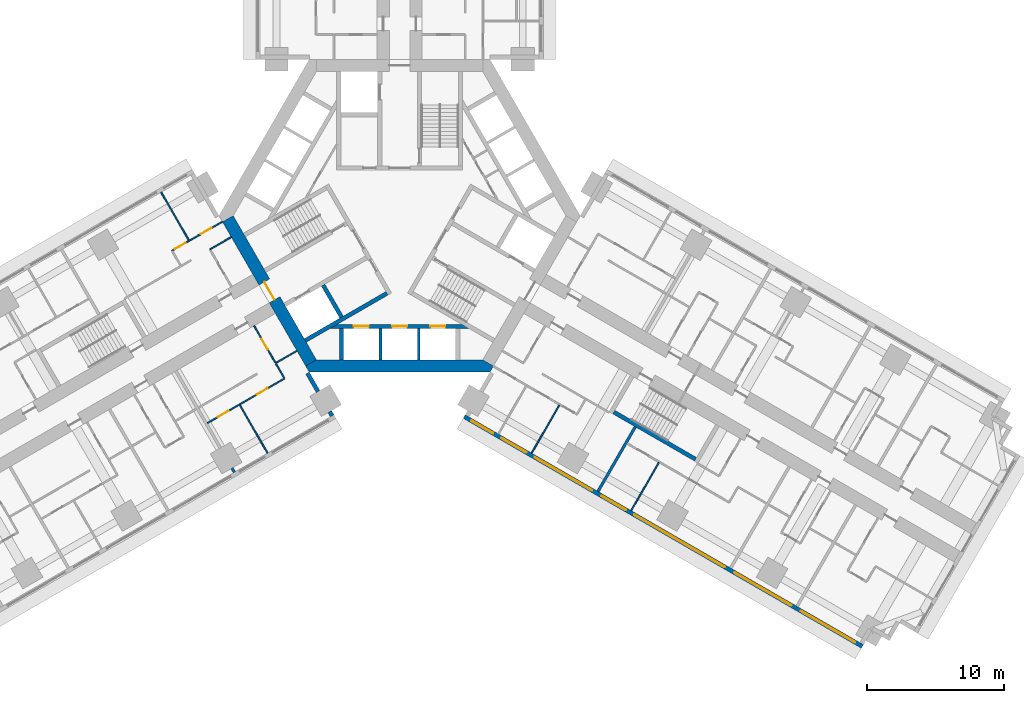
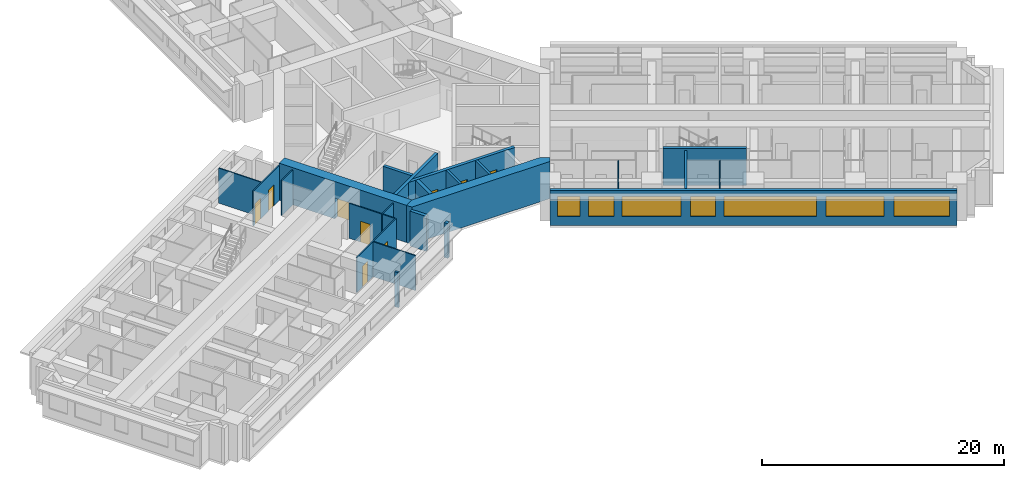
# One storey, part 6 of 16: 24 walls, 9 doors, 7 windows, 16 openings.
"""IFC4 building model written with IfcOpenShell, lengths in metres."""

from ifc_helpers import new_model, si_unit, direction, frame, frame_2d, origin, place, context, subcontext, project, spatial, polyline, rectangle, outline, extrude, material, layer, layer_set, type_object, element, fill, save


model = new_model("IFC4")

# Units and contexts
model_context = context("Model", 3, precision=1e-05, world=origin(), true_north=direction((0.0, 1.0)))
body_context = subcontext(model_context, "Body", "Model", "MODEL_VIEW")
ifc_project = project(units=[si_unit("LENGTHUNIT", "METRE"), si_unit("AREAUNIT", "SQUARE_METRE"), si_unit("VOLUMEUNIT", "CUBIC_METRE"), si_unit("PLANEANGLEUNIT", "RADIAN"), si_unit("MASSUNIT", "GRAM", prefix="KILO")], contexts=[model_context])

# Site, building, storey
site_placement = place(None, origin())
site = spatial("IfcSite", under=ifc_project, at=site_placement, CompositionType="ELEMENT")
building_placement = place(site_placement, origin())
building = spatial("IfcBuilding", under=site, at=building_placement, Name="Impinga Residences", CompositionType="ELEMENT")
storey_placement = place(building_placement, frame((0.0, 0.0, 48.5)))
storey = spatial("IfcBuildingStorey", under=building, at=storey_placement, Name="L11", CompositionType="ELEMENT", Elevation=48.5)

# Wall, openings, windows
ifc_material_1 = material(Name="Terracotta rainscreen on blockwork", Category="masonry")
ifc_layer_1 = layer(ifc_material_1, 0.300048828125)
ifc_layer_set_1 = layer_set([ifc_layer_1], Name="EW1 external wall, terracotta rainscreen on blockwork 300")
wall_type_1 = type_object("IfcWallType", Name="EW1 external wall, terracotta rainscreen on blockwork 300", PredefinedType="SOLIDWALL", material=ifc_layer_set_1)
wall_1_placement = place(storey_placement, frame((33.823486328125, -31.479248046875, 0.0), z_axis=(0.0, 0.0, 1.0), x_axis=(-0.866024291668, 0.500001926238, 0.0)))
wall_1 = element("IfcWall", 1, at=wall_1_placement, inside=storey, type_object=wall_type_1, Name="External wall EW1 L11", PredefinedType="SOLIDWALL", context=body_context, shape_type="SweptSolid", body=[
    extrude(rectangle(XDim=33.599853515625, YDim=0.300048828125, at=frame_2d((16.7998046875, 0.0))), origin(), (0.0, 0.0, 1.0), 3.530029296875),
])
opening_1_placement = place(wall_1_placement, frame((0.60009765625, 0.0, 0.89990234375)))
opening_1 = element("IfcOpeningElement", 2, at=opening_1_placement, cuts=wall_1, Name="Opening W3", PredefinedType="OPENING", context=body_context, shape_type="SweptSolid", body=[
    extrude(rectangle(XDim=4.60009765625, YDim=2.050048828125, at=frame_2d((2.300048828125, 1.02490234375))), frame((0.0, 0.159912109375, 0.0), z_axis=(0.0, -1.0, 0.0), x_axis=(1.0, 0.0, 0.0)), (0.0, 0.0, 1.0), 0.320068359375),
])
opening_2_placement = place(wall_1_placement, frame((6.0, 0.0, 0.89990234375)))
opening_2 = element("IfcOpeningElement", 3, at=opening_2_placement, cuts=wall_1, Name="Opening W8", PredefinedType="OPENING", context=body_context, shape_type="SweptSolid", body=[
    extrude(rectangle(XDim=4.800048828125, YDim=2.050048828125, at=frame_2d((2.39990234375, 1.02490234375))), frame((0.0, 0.159912109375, 0.0), z_axis=(0.0, -1.0, 0.0), x_axis=(1.0, 0.0, 0.0)), (0.0, 0.0, 1.0), 0.320068359375),
])
opening_3_placement = place(wall_1_placement, frame((11.60009765625, 0.0, 0.89990234375)))
opening_3 = element("IfcOpeningElement", 4, at=opening_3_placement, cuts=wall_1, Name="Opening W13", PredefinedType="OPENING", context=body_context, shape_type="SweptSolid", body=[
    extrude(rectangle(XDim=7.64990234375, YDim=2.050048828125, at=frame_2d((3.824951171875, 1.02490234375))), frame((0.0, 0.159912109375, 0.0), z_axis=(0.0, -1.0, 0.0), x_axis=(1.0, 0.0, 0.0)), (0.0, 0.0, 1.0), 0.320068359375),
])
opening_4_placement = place(wall_1_placement, frame((19.949951171875, 0.0, 0.89990234375)))
opening_4 = element("IfcOpeningElement", 5, at=opening_4_placement, cuts=wall_1, Name="Opening W14", PredefinedType="OPENING", context=body_context, shape_type="SweptSolid", body=[
    extrude(rectangle(XDim=2.050048828125, YDim=2.050048828125, at=frame_2d((1.02490234375, 1.02490234375))), frame((0.0, 0.159912109375, 0.0), z_axis=(0.0, -1.0, 0.0), x_axis=(1.0, 0.0, 0.0)), (0.0, 0.0, 1.0), 0.320068359375),
])
opening_5_placement = place(wall_1_placement, frame((22.800048828125, 0.0, 0.89990234375)))
opening_5 = element("IfcOpeningElement", 6, at=opening_5_placement, cuts=wall_1, Name="Opening W6", PredefinedType="OPENING", context=body_context, shape_type="SweptSolid", body=[
    extrude(rectangle(XDim=4.85009765625, YDim=2.050048828125, at=frame_2d((2.425048828125, 1.02490234375))), frame((0.0, 0.159912109375, 0.0), z_axis=(0.0, -1.0, 0.0), x_axis=(1.0, 0.0, 0.0)), (0.0, 0.0, 1.0), 0.320068359375),
])
opening_6_placement = place(wall_1_placement, frame((28.35009765625, 0.0, 0.89990234375)))
opening_6 = element("IfcOpeningElement", 7, at=opening_6_placement, cuts=wall_1, Name="Opening W9", PredefinedType="OPENING", context=body_context, shape_type="SweptSolid", body=[
    extrude(rectangle(XDim=2.10009765625, YDim=2.050048828125, at=frame_2d((1.050048828125, 1.02490234375))), frame((0.0, 0.159912109375, 0.0), z_axis=(0.0, -1.0, 0.0), x_axis=(1.0, 0.0, 0.0)), (0.0, 0.0, 1.0), 0.320068359375),
])
opening_7_placement = place(wall_1_placement, frame((31.14990234375, 0.0, 0.89990234375)))
opening_7 = element("IfcOpeningElement", 8, at=opening_7_placement, cuts=wall_1, Name="Opening W15", PredefinedType="OPENING", context=body_context, shape_type="SweptSolid", body=[
    extrude(rectangle(XDim=1.85009765625, YDim=2.050048828125, at=frame_2d((0.925048828125, 1.02490234375))), frame((0.0, 0.159912109375, 0.0), z_axis=(0.0, -1.0, 0.0), x_axis=(1.0, 0.0, 0.0)), (0.0, 0.0, 1.0), 0.320068359375),
])
ifc_material_2 = material(Name="Aluminium window, clear double glazing", Category="aluminium")
window_type_1 = type_object("IfcWindowType", Name="W13 ribbon window 7650x2050", PartitioningType="SINGLE_PANEL", PredefinedType="WINDOW", material=ifc_material_2)
window_1_placement = place(opening_3_placement, origin())
window_1 = element("IfcWindow", 9, at=window_1_placement, inside=storey, type_object=window_type_1, Name="Window L11", OverallHeight=2.050048828125, OverallWidth=7.64990234375, PartitioningType="SINGLE_PANEL", PredefinedType="WINDOW", context=body_context, shape_type="SweptSolid", body=[
    extrude(rectangle(XDim=7.64990234375, YDim=2.050048828125, at=frame_2d((3.824951171875, 1.02490234375))), frame((0.0, 0.030029296875, 0.0), z_axis=(0.0, -1.0, 0.0), x_axis=(1.0, 0.0, 0.0)), (0.0, 0.0, 1.0), 0.06005859375),
])
fill(opening_3, window_1)
window_type_2 = type_object("IfcWindowType", Name="W14 ribbon window 2050x2050", PartitioningType="SINGLE_PANEL", PredefinedType="WINDOW", material=ifc_material_2)
window_2_placement = place(opening_4_placement, origin())
window_2 = element("IfcWindow", 10, at=window_2_placement, inside=storey, type_object=window_type_2, Name="Window L11", OverallHeight=2.050048828125, OverallWidth=2.050048828125, PartitioningType="SINGLE_PANEL", PredefinedType="WINDOW", context=body_context, shape_type="SweptSolid", body=[
    extrude(rectangle(XDim=2.050048828125, YDim=2.050048828125, at=frame_2d((1.02490234375, 1.02490234375))), frame((0.0, 0.030029296875, 0.0), z_axis=(0.0, -1.0, 0.0), x_axis=(1.0, 0.0, 0.0)), (0.0, 0.0, 1.0), 0.06005859375),
])
fill(opening_4, window_2)
window_type_3 = type_object("IfcWindowType", Name="W15 ribbon window 1850x2050", PartitioningType="SINGLE_PANEL", PredefinedType="WINDOW", material=ifc_material_2)
window_3_placement = place(opening_7_placement, origin())
window_3 = element("IfcWindow", 11, at=window_3_placement, inside=storey, type_object=window_type_3, Name="Window L11", OverallHeight=2.050048828125, OverallWidth=1.85009765625, PartitioningType="SINGLE_PANEL", PredefinedType="WINDOW", context=body_context, shape_type="SweptSolid", body=[
    extrude(rectangle(XDim=1.85009765625, YDim=2.050048828125, at=frame_2d((0.925048828125, 1.02490234375))), frame((0.0, 0.030029296875, 0.0), z_axis=(0.0, -1.0, 0.0), x_axis=(1.0, 0.0, 0.0)), (0.0, 0.0, 1.0), 0.06005859375),
])
fill(opening_7, window_3)
window_type_4 = type_object("IfcWindowType", Name="W3 ribbon window 4600x2050", PartitioningType="SINGLE_PANEL", PredefinedType="WINDOW", material=ifc_material_2)
window_4_placement = place(opening_1_placement, origin())
window_4 = element("IfcWindow", 12, at=window_4_placement, inside=storey, type_object=window_type_4, Name="Window L11", OverallHeight=2.050048828125, OverallWidth=4.60009765625, PartitioningType="SINGLE_PANEL", PredefinedType="WINDOW", context=body_context, shape_type="SweptSolid", body=[
    extrude(rectangle(XDim=4.60009765625, YDim=2.050048828125, at=frame_2d((2.300048828125, 1.02490234375))), frame((0.0, 0.030029296875, 0.0), z_axis=(0.0, -1.0, 0.0), x_axis=(1.0, 0.0, 0.0)), (0.0, 0.0, 1.0), 0.06005859375),
])
fill(opening_1, window_4)
window_type_5 = type_object("IfcWindowType", Name="W6 ribbon window 4850x2050", PartitioningType="SINGLE_PANEL", PredefinedType="WINDOW", material=ifc_material_2)
window_5_placement = place(opening_5_placement, origin())
window_5 = element("IfcWindow", 13, at=window_5_placement, inside=storey, type_object=window_type_5, Name="Window L11", OverallHeight=2.050048828125, OverallWidth=4.85009765625, PartitioningType="SINGLE_PANEL", PredefinedType="WINDOW", context=body_context, shape_type="SweptSolid", body=[
    extrude(rectangle(XDim=4.85009765625, YDim=2.050048828125, at=frame_2d((2.425048828125, 1.02490234375))), frame((0.0, 0.030029296875, 0.0), z_axis=(0.0, -1.0, 0.0), x_axis=(1.0, 0.0, 0.0)), (0.0, 0.0, 1.0), 0.06005859375),
])
fill(opening_5, window_5)
window_type_6 = type_object("IfcWindowType", Name="W8 ribbon window 4800x2050", PartitioningType="SINGLE_PANEL", PredefinedType="WINDOW", material=ifc_material_2)
window_6_placement = place(opening_2_placement, origin())
window_6 = element("IfcWindow", 14, at=window_6_placement, inside=storey, type_object=window_type_6, Name="Window L11", OverallHeight=2.050048828125, OverallWidth=4.800048828125, PartitioningType="SINGLE_PANEL", PredefinedType="WINDOW", context=body_context, shape_type="SweptSolid", body=[
    extrude(rectangle(XDim=4.800048828125, YDim=2.050048828125, at=frame_2d((2.39990234375, 1.02490234375))), frame((0.0, 0.030029296875, 0.0), z_axis=(0.0, -1.0, 0.0), x_axis=(1.0, 0.0, 0.0)), (0.0, 0.0, 1.0), 0.06005859375),
])
fill(opening_2, window_6)
window_type_7 = type_object("IfcWindowType", Name="W9 ribbon window 2100x2050", PartitioningType="SINGLE_PANEL", PredefinedType="WINDOW", material=ifc_material_2)
window_7_placement = place(opening_6_placement, origin())
window_7 = element("IfcWindow", 15, at=window_7_placement, inside=storey, type_object=window_type_7, Name="Window L11", OverallHeight=2.050048828125, OverallWidth=2.10009765625, PartitioningType="SINGLE_PANEL", PredefinedType="WINDOW", context=body_context, shape_type="SweptSolid", body=[
    extrude(rectangle(XDim=2.10009765625, YDim=2.050048828125, at=frame_2d((1.050048828125, 1.02490234375))), frame((0.0, 0.030029296875, 0.0), z_axis=(0.0, -1.0, 0.0), x_axis=(1.0, 0.0, 0.0)), (0.0, 0.0, 1.0), 0.06005859375),
])
fill(opening_6, window_7)

# Walls
wall_2_placement = place(storey_placement, frame((-6.72998046875, -11.506591796875, 0.0), z_axis=(0.0, 0.0, 1.0), x_axis=(0.500086022567, -0.865975732936, 0.0)))
element("IfcWall", 16, at=wall_2_placement, inside=storey, type_object=wall_type_1, Name="External wall EW1 L11", PredefinedType="SOLIDWALL", context=body_context, shape_type="SweptSolid", body=[
    extrude(rectangle(XDim=1.550048828125, YDim=0.300048828125, at=frame_2d((0.77490234375, 0.0))), origin(), (0.0, 0.0, 1.0), 3.530029296875),
])
wall_3_placement = place(storey_placement, frame((-5.10498046875, -14.321044921875, 0.0), z_axis=(0.0, 0.0, 1.0), x_axis=(0.49996389635, -0.866046247233, 0.0)))
element("IfcWall", 17, at=wall_3_placement, inside=storey, type_object=wall_type_1, Name="External wall EW1 L11", PredefinedType="SOLIDWALL", context=body_context, shape_type="SweptSolid", body=[
    extrude(rectangle(XDim=0.35009765625, YDim=0.300048828125, at=frame_2d((0.175048828125, 0.0))), origin(), (0.0, 0.0, 1.0), 3.530029296875),
])
ifc_material_3 = material(Name="Gypsum board on steel studs", Category="steel")
ifc_layer_2 = layer(ifc_material_3, 0.10009765625)
ifc_layer_set_2 = layer_set([ifc_layer_2], Name="Gypsum board on steel studs")
wall_type_2 = type_object("IfcWallType", Name="IP1 partition 100", PredefinedType="PARTITIONING", material=ifc_layer_set_2)
wall_4_placement = place(storey_placement, frame((-7.5, -9.872802734375, 0.0), z_axis=(0.0, 0.0, 1.0), x_axis=(-0.866047807691, -0.499961193289, 0.0)))
element("IfcWall", 18, at=wall_4_placement, inside=storey, type_object=wall_type_2, Name="Partition L11-WA1:DIV0", PredefinedType="PARTITIONING", context=body_context, shape_type="SweptSolid", body=[
    extrude(rectangle(XDim=1.800048828125, YDim=0.10009765625, at=frame_2d((0.89990234375, 0.0))), origin(), (0.0, 0.0, 1.0), 3.530029296875),
])

# Wall, openings, doors
wall_5_placement = place(storey_placement, frame((-8.408935546875, -11.8984375, 0.0), z_axis=(0.0, 0.0, 1.0), x_axis=(-0.866024837091, -0.50000098154, 0.0)))
wall_5 = element("IfcWall", 19, at=wall_5_placement, inside=storey, type_object=wall_type_2, Name="Partition L11-WA1:STRIP", PredefinedType="PARTITIONING", context=body_context, shape_type="SweptSolid", body=[
    extrude(rectangle(XDim=6.5, YDim=0.10009765625, at=frame_2d((3.25, 0.0))), origin(), (0.0, 0.0, 1.0), 3.530029296875),
])
opening_8_placement = place(wall_5_placement, frame((1.425048828125, 0.0, 0.0)))
opening_8 = element("IfcOpeningElement", 20, at=opening_8_placement, cuts=wall_5, Name="Opening D2", PredefinedType="OPENING", context=body_context, shape_type="SweptSolid", body=[
    extrude(rectangle(XDim=0.89990234375, YDim=2.10009765625, at=frame_2d((0.449951171875, 1.050048828125))), frame((0.0, 0.06005859375, 0.0), z_axis=(0.0, -1.0, 0.0), x_axis=(1.0, 0.0, 0.0)), (0.0, 0.0, 1.0), 0.1201171875),
])
opening_9_placement = place(wall_5_placement, frame((4.72509765625, 0.0, 0.0)))
opening_9 = element("IfcOpeningElement", 21, at=opening_9_placement, cuts=wall_5, Name="Opening D2", PredefinedType="OPENING", context=body_context, shape_type="SweptSolid", body=[
    extrude(rectangle(XDim=0.89990234375, YDim=2.10009765625, at=frame_2d((0.449951171875, 1.050048828125))), frame((0.0, 0.06005859375, 0.0), z_axis=(0.0, -1.0, 0.0), x_axis=(1.0, 0.0, 0.0)), (0.0, 0.0, 1.0), 0.1201171875),
])
ifc_material_4 = material(Name="Timber door set", Category="wood")
door_type_1 = type_object("IfcDoorType", Name="D2 internal door 900x2100", OperationType="SINGLE_SWING_LEFT", PredefinedType="DOOR", material=ifc_material_4)
door_1_placement = place(opening_8_placement, origin())
door_1 = element("IfcDoor", 22, at=door_1_placement, inside=storey, type_object=door_type_1, Name="Apartment L11-WA1 room door", OperationType="SINGLE_SWING_LEFT", OverallHeight=2.10009765625, OverallWidth=0.89990234375, PredefinedType="DOOR", context=body_context, shape_type="SweptSolid", body=[
    extrude(rectangle(XDim=0.89990234375, YDim=2.10009765625, at=frame_2d((0.449951171875, 1.050048828125))), frame((0.0, 0.02490234375, 0.0), z_axis=(0.0, -1.0, 0.0), x_axis=(1.0, 0.0, 0.0)), (0.0, 0.0, 1.0), 0.050048828125),
])
fill(opening_8, door_1)
door_2_placement = place(opening_9_placement, origin())
door_2 = element("IfcDoor", 23, at=door_2_placement, inside=storey, type_object=door_type_1, Name="Apartment L11-WA1 room door", OperationType="SINGLE_SWING_RIGHT", OverallHeight=2.10009765625, OverallWidth=0.89990234375, PredefinedType="DOOR", context=body_context, shape_type="SweptSolid", body=[
    extrude(rectangle(XDim=0.89990234375, YDim=2.10009765625, at=frame_2d((0.449951171875, 1.050048828125))), frame((0.0, 0.02490234375, 0.0), z_axis=(0.0, -1.0, 0.0), x_axis=(1.0, 0.0, 0.0)), (0.0, 0.0, 1.0), 0.050048828125),
])
fill(opening_9, door_2)

# Wall
wall_6_placement = place(storey_placement, frame((-9.033935546875, -10.81591796875, 0.0), z_axis=(0.0, 0.0, 1.0), x_axis=(0.500033551112, -0.866006032174, 0.0)))
element("IfcWall", 24, at=wall_6_placement, inside=storey, type_object=wall_type_2, Name="Partition L11-WA1:SE0", PredefinedType="PARTITIONING", context=body_context, shape_type="SweptSolid", body=[
    extrude(rectangle(XDim=1.2001953125, YDim=0.10009765625, at=frame_2d((0.60009765625, 0.0))), origin(), (0.0, 0.0, 1.0), 3.530029296875),
])

# Wall, opening, door
wall_7_placement = place(storey_placement, frame((-10.6337890625, -8.044677734375, 0.0), z_axis=(0.0, 0.0, 1.0), x_axis=(0.49999285859, -0.86602952684, 0.0)))
wall_7 = element("IfcWall", 25, at=wall_7_placement, inside=storey, type_object=wall_type_2, Name="Partition L11-WA1:IB1", PredefinedType="PARTITIONING", context=body_context, shape_type="SweptSolid", body=[
    extrude(rectangle(XDim=3.10009765625, YDim=0.10009765625, at=frame_2d((1.550048828125, 0.0))), origin(), (0.0, 0.0, 1.0), 3.530029296875),
])
opening_10_placement = place(wall_7_placement, frame((1.10009765625, 0.0, 0.0)))
opening_10 = element("IfcOpeningElement", 26, at=opening_10_placement, cuts=wall_7, Name="Opening D2", PredefinedType="OPENING", context=body_context, shape_type="SweptSolid", body=[
    extrude(rectangle(XDim=0.89990234375, YDim=2.10009765625, at=frame_2d((0.449951171875, 1.050048828125))), frame((0.0, 0.06005859375, 0.0), z_axis=(0.0, -1.0, 0.0), x_axis=(1.0, 0.0, 0.0)), (0.0, 0.0, 1.0), 0.1201171875),
])
door_3_placement = place(opening_10_placement, origin())
door_3 = element("IfcDoor", 27, at=door_3_placement, inside=storey, type_object=door_type_1, Name="Apartment L11-WA1 bathroom door", OperationType="SINGLE_SWING_LEFT", OverallHeight=2.10009765625, OverallWidth=0.89990234375, PredefinedType="DOOR", context=body_context, shape_type="SweptSolid", body=[
    extrude(rectangle(XDim=0.89990234375, YDim=2.10009765625, at=frame_2d((0.449951171875, 1.050048828125))), frame((0.0, 0.02490234375, 0.0), z_axis=(0.0, -1.0, 0.0), x_axis=(1.0, 0.0, 0.0)), (0.0, 0.0, 1.0), 0.050048828125),
])
fill(opening_10, door_3)

# Walls
wall_8_placement = place(storey_placement, frame((-11.6748046875, -13.841796875, 0.0), z_axis=(0.0, 0.0, 1.0), x_axis=(0.500035537042, -0.866004885491, 0.0)))
element("IfcWall", 28, at=wall_8_placement, inside=storey, type_object=wall_type_2, Name="Partition L11-WA1:OB1", PredefinedType="PARTITIONING", context=body_context, shape_type="SweptSolid", body=[
    extrude(rectangle(XDim=4.050048828125, YDim=0.10009765625, at=frame_2d((2.02490234375, 0.0))), origin(), (0.0, 0.0, 1.0), 3.530029296875),
])
wall_9_placement = place(storey_placement, frame((-12.300048828125, -1.558837890625, 0.0), z_axis=(0.0, 0.0, 1.0), x_axis=(-0.866047807691, -0.499961193289, 0.0)))
element("IfcWall", 29, at=wall_9_placement, inside=storey, type_object=wall_type_2, Name="Partition L11-WF1:DIV0", PredefinedType="PARTITIONING", context=body_context, shape_type="SweptSolid", body=[
    extrude(rectangle(XDim=1.800048828125, YDim=0.10009765625, at=frame_2d((0.89990234375, 0.0))), origin(), (0.0, 0.0, 1.0), 3.530029296875),
])

# Wall, openings, doors
wall_10_placement = place(storey_placement, frame((-12.949951171875, -0.43310546875, 0.0), z_axis=(0.0, 0.0, 1.0), x_axis=(-0.866028703517, -0.499994284652, 0.0)))
wall_10 = element("IfcWall", 30, at=wall_10_placement, inside=storey, type_object=wall_type_2, Name="Partition L11-WF1:STRIP", PredefinedType="PARTITIONING", context=body_context, shape_type="SweptSolid", body=[
    extrude(rectangle(XDim=4.25, YDim=0.10009765625, at=frame_2d((2.125, 0.0))), origin(), (0.0, 0.0, 1.0), 3.530029296875),
])
opening_11_placement = place(wall_10_placement, frame((0.925048828125, 0.0, 0.0)))
opening_11 = element("IfcOpeningElement", 31, at=opening_11_placement, cuts=wall_10, Name="Opening D2", PredefinedType="OPENING", context=body_context, shape_type="SweptSolid", body=[
    extrude(rectangle(XDim=0.89990234375, YDim=2.10009765625, at=frame_2d((0.449951171875, 1.050048828125))), frame((0.0, 0.06005859375, 0.0), z_axis=(0.0, -1.0, 0.0), x_axis=(1.0, 0.0, 0.0)), (0.0, 0.0, 1.0), 0.1201171875),
])
opening_12_placement = place(wall_10_placement, frame((3.10009765625, 0.0, 0.0)))
opening_12 = element("IfcOpeningElement", 32, at=opening_12_placement, cuts=wall_10, Name="Opening D2", PredefinedType="OPENING", context=body_context, shape_type="SweptSolid", body=[
    extrude(rectangle(XDim=0.89990234375, YDim=2.10009765625, at=frame_2d((0.449951171875, 1.050048828125))), frame((0.0, 0.06005859375, 0.0), z_axis=(0.0, -1.0, 0.0), x_axis=(1.0, 0.0, 0.0)), (0.0, 0.0, 1.0), 0.1201171875),
])
door_4_placement = place(opening_11_placement, origin())
door_4 = element("IfcDoor", 33, at=door_4_placement, inside=storey, type_object=door_type_1, Name="Apartment L11-WF1 room door", OperationType="SINGLE_SWING_LEFT", OverallHeight=2.10009765625, OverallWidth=0.89990234375, PredefinedType="DOOR", context=body_context, shape_type="SweptSolid", body=[
    extrude(rectangle(XDim=0.89990234375, YDim=2.10009765625, at=frame_2d((0.449951171875, 1.050048828125))), frame((0.0, 0.02490234375, 0.0), z_axis=(0.0, -1.0, 0.0), x_axis=(1.0, 0.0, 0.0)), (0.0, 0.0, 1.0), 0.050048828125),
])
fill(opening_11, door_4)
door_5_placement = place(opening_12_placement, origin())
door_5 = element("IfcDoor", 34, at=door_5_placement, inside=storey, type_object=door_type_1, Name="Apartment L11-WF1 room door", OperationType="SINGLE_SWING_RIGHT", OverallHeight=2.10009765625, OverallWidth=0.89990234375, PredefinedType="DOOR", context=body_context, shape_type="SweptSolid", body=[
    extrude(rectangle(XDim=0.89990234375, YDim=2.10009765625, at=frame_2d((0.449951171875, 1.050048828125))), frame((0.0, 0.02490234375, 0.0), z_axis=(0.0, -1.0, 0.0), x_axis=(1.0, 0.0, 0.0)), (0.0, 0.0, 1.0), 0.050048828125),
])
fill(opening_12, door_5)

# Walls
for number, where, z_axis, x_axis, name in (
    (35, (-15.39990234375, -1.789794921875, 0.0), (0.0, 0.0, 1.0), (-0.499964223975, 0.866046058097, 0.0), "Partition L11-WF1:OB1"),
    (36, (11.6748046875, -13.841796875, 0.0), (0.0, 0.0, 1.0), (-0.500035537042, -0.866004885491, 0.0), "Partition L11-EF1:OB2"),
):
    element("IfcWall", number, at=place(storey_placement, frame(where, z_axis=z_axis, x_axis=x_axis)), inside=storey, type_object=wall_type_2, Name=name, PredefinedType="PARTITIONING", context=body_context, shape_type="SweptSolid", body=[
        extrude(rectangle(XDim=4.050048828125, YDim=0.10009765625, at=frame_2d((2.02490234375, 0.0))), origin(), (0.0, 0.0, 1.0), 3.530029296875),
    ])
wall_11_placement = place(storey_placement, frame((18.949462890625, -18.041748046875, 0.0), z_axis=(0.0, 0.0, 1.0), x_axis=(-0.50000943426, -0.866019956843, 0.0)))
element("IfcWall", 37, at=wall_11_placement, inside=storey, type_object=wall_type_2, Name="Partition L11-EF2:OB1", PredefinedType="PARTITIONING", context=body_context, shape_type="SweptSolid", body=[
    extrude(rectangle(XDim=4.05029296875, YDim=0.10009765625, at=frame_2d((2.025146484375, 0.0))), origin(), (0.0, 0.0, 1.0), 3.530029296875),
])
ifc_material_5 = material(Name="Concrete blockwork", Category="masonry")
ifc_layer_3 = layer(ifc_material_5, 0.199951171875)
ifc_layer_set_3 = layer_set([ifc_layer_3], Name="PW1 party wall between apartments 200")
wall_type_3 = type_object("IfcWallType", Name="PW1 party wall between apartments 200", PredefinedType="SOLIDWALL", material=ifc_layer_set_3)
wall_12_placement = place(storey_placement, frame((-12.24951171875, -18.446044921875, 0.0), z_axis=(0.0, 0.0, 1.0), x_axis=(0.499440622861, -0.866348119543, 0.0)))
element("IfcWall", 38, at=wall_12_placement, inside=storey, type_object=wall_type_3, Name="Party wall between apartments L11-WA1:PARTYb", PredefinedType="SOLIDWALL", context=body_context, shape_type="SweptSolid", body=[
    extrude(rectangle(XDim=0.35009765625, YDim=0.199951171875, at=frame_2d((0.175048828125, 0.0))), origin(), (0.0, 0.0, 1.0), 3.530029296875),
])
wall_13_placement = place(storey_placement, frame((17.224365234375, -15.429443359375, 0.0), z_axis=(0.0, 0.0, 1.0), x_axis=(-0.499988730927, -0.866031909889, 0.0)))
element("IfcWall", 39, at=wall_13_placement, inside=storey, type_object=wall_type_3, Name="Party wall between apartments L11-EF1:PARTY", PredefinedType="SOLIDWALL", context=body_context, shape_type="SweptSolid", body=[
    extrude(rectangle(XDim=5.449951171875, YDim=0.199951171875, at=frame_2d((2.72509765625, 0.0))), origin(), (0.0, 0.0, 1.0), 3.530029296875),
])
ifc_material_6 = material(Name="Concrete C60/75", Category="concrete")
ifc_layer_4 = layer(ifc_material_6, 0.300048828125)
ifc_layer_set_4 = layer_set([ifc_layer_4], Name="Concrete C60/75")
wall_type_4 = type_object("IfcWallType", Name="SE1 wing stair enclosure wall 300", PredefinedType="SOLIDWALL", material=ifc_layer_set_4)
wall_14_placement = place(storey_placement, frame((15.654052734375, -14.349365234375, 0.0), z_axis=(0.0, 0.0, 1.0), x_axis=(0.866013532718, -0.500020560727, 0.0)))
element("IfcWall", 40, at=wall_14_placement, inside=storey, type_object=wall_type_4, Name="Stair enclosure wall SE1 E OUT L11", PredefinedType="SOLIDWALL", context=body_context, shape_type="SweptSolid", body=[
    extrude(rectangle(XDim=6.900146484375, YDim=0.300048828125, at=frame_2d((3.4501953125, 0.0))), origin(), (0.0, 0.0, 1.0), 3.75),
])

# Wall, opening, door
ifc_material_7 = material(Name="Concrete C70/85", Category="concrete")
ifc_layer_5 = layer(ifc_material_7, 0.89990234375)
ifc_layer_set_5 = layer_set([ifc_layer_5], Name="Concrete C70/85")
wall_type_5 = type_object("IfcWallType", Name="SW1 core wall 900", PredefinedType="SHEAR", material=ifc_layer_set_5)
wall_15_placement = place(storey_placement, frame((-6.47021484375, -10.756591796875, 0.0), z_axis=(0.0, 0.0, 1.0), x_axis=(-0.499997612506, 0.8660267822, 0.0)))
wall_15 = element("IfcWall", 41, at=wall_15_placement, inside=storey, type_object=wall_type_5, Name="Core wall SW1 W:FACE L11", PredefinedType="SHEAR", context=body_context, shape_type="SweptSolid", body=[
    extrude(rectangle(XDim=12.16064453125, YDim=0.89990234375, at=frame_2d((6.080322265625, 0.0))), origin(), (0.0, 0.0, 1.0), 3.75),
])
opening_13_placement = place(wall_15_placement, frame((5.330322265625, 0.0, 0.0)))
opening_13 = element("IfcOpeningElement", 42, at=opening_13_placement, cuts=wall_15, Name="Opening D4", PredefinedType="OPENING", context=body_context, shape_type="SweptSolid", body=[
    extrude(rectangle(XDim=1.5, YDim=2.10009765625, at=frame_2d((0.75, 1.050048828125))), frame((0.0, 0.4599609375, 0.0), z_axis=(0.0, -1.0, 0.0), x_axis=(1.0, 0.0, 0.0)), (0.0, 0.0, 1.0), 0.919921875),
])
door_type_2 = type_object("IfcDoorType", Name="D4 lobby door pair 1500x2100", OperationType="DOUBLE_DOOR_DOUBLE_SWING", PredefinedType="DOOR", material=ifc_material_4)
door_6_placement = place(opening_13_placement, origin())
door_6 = element("IfcDoor", 43, at=door_6_placement, inside=storey, type_object=door_type_2, Name="Lobby door W", OperationType="DOUBLE_DOOR_DOUBLE_SWING", OverallHeight=2.10009765625, OverallWidth=1.5, PredefinedType="DOOR", context=body_context, shape_type="SweptSolid", body=[
    extrude(rectangle(XDim=1.5, YDim=2.10009765625, at=frame_2d((0.75, 1.050048828125))), frame((0.0, 0.02490234375, 0.0), z_axis=(0.0, -1.0, 0.0), x_axis=(1.0, 0.0, 0.0)), (0.0, 0.0, 1.0), 0.050048828125),
])
fill(opening_13, door_6)

# Walls
wall_16_placement = place(storey_placement, origin())
element("IfcWall", 44, at=wall_16_placement, inside=storey, type_object=wall_type_5, Name="Core wall SW1 N:EXPOSED L11", PredefinedType="SHEAR", context=body_context, shape_type="SweptSolid", body=[
    extrude(outline(polyline([(-6.60009765625, -11.431640625), (6.60009765625, -11.431640625), (6.85986328125, -10.9814453125), (6.080322265625, -10.531494140625), (-6.080322265625, -10.531494140625), (-6.85986328125, -10.9814453125), (-6.60009765625, -11.431640625)])), origin(), (0.0, 0.0, 1.0), 3.75),
])
ifc_layer_6 = layer(ifc_material_7, 0.300048828125)
ifc_layer_set_6 = layer_set([ifc_layer_6], Name="Concrete C70/85")
wall_type_6 = type_object("IfcWallType", Name="SW5 core inner wall, stairs, shafts and lobbies 300", PredefinedType="SHEAR", material=ifc_layer_set_6)
wall_17_placement = place(storey_placement, frame((-0.918701171875, -5.668701171875, 0.0), z_axis=(0.0, 0.0, 1.0), x_axis=(-0.866011800373, -0.500023561059, 0.0)))
element("IfcWall", 45, at=wall_17_placement, inside=storey, type_object=wall_type_6, Name="Core wall SW5 W:FF-OUT L11", PredefinedType="SHEAR", context=body_context, shape_type="SweptSolid", body=[
    extrude(rectangle(XDim=6.901611328125, YDim=0.300048828125, at=frame_2d((3.45068359375, 0.0))), origin(), (0.0, 0.0, 1.0), 3.75),
])
wall_18_placement = place(storey_placement, frame((-4.2412109375, -7.413818359375, 0.0), z_axis=(0.0, 0.0, 1.0), x_axis=(-0.500048589285, 0.86599734893, 0.0)))
element("IfcWall", 46, at=wall_18_placement, inside=storey, type_object=wall_type_6, Name="Core wall SW5 W:FF-RS L11", PredefinedType="SHEAR", context=body_context, shape_type="SweptSolid", body=[
    extrude(rectangle(XDim=2.699951171875, YDim=0.300048828125, at=frame_2d((1.35009765625, 0.0))), origin(), (0.0, 0.0, 1.0), 3.75),
])

# Wall, openings, doors
wall_19_placement = place(storey_placement, frame((5.09765625, -8.08154296875, 0.0), z_axis=(0.0, 0.0, 1.0), x_axis=(-1.0, 0.0, 0.0)))
wall_19 = element("IfcWall", 47, at=wall_19_placement, inside=storey, type_object=wall_type_6, Name="Core wall SW5 N:BANK-FRONT L11", PredefinedType="SHEAR", context=body_context, shape_type="SweptSolid", body=[
    extrude(rectangle(XDim=10.1953125, YDim=0.300048828125, at=frame_2d((5.09765625, 0.0))), origin(), (0.0, 0.0, 1.0), 3.75),
])
opening_14_placement = place(wall_19_placement, frame((1.74755859375, 0.0, 0.0)))
opening_14 = element("IfcOpeningElement", 48, at=opening_14_placement, cuts=wall_19, Name="Opening LD1", PredefinedType="OPENING", context=body_context, shape_type="SweptSolid", body=[
    extrude(rectangle(XDim=1.10009765625, YDim=2.10009765625, at=frame_2d((0.550048828125, 1.050048828125))), frame((0.0, 0.159912109375, 0.0), z_axis=(0.0, -1.0, 0.0), x_axis=(1.0, 0.0, 0.0)), (0.0, 0.0, 1.0), 0.320068359375),
])
opening_15_placement = place(wall_19_placement, frame((4.547607421875, 0.0, 0.0)))
opening_15 = element("IfcOpeningElement", 49, at=opening_15_placement, cuts=wall_19, Name="Opening LD1", PredefinedType="OPENING", context=body_context, shape_type="SweptSolid", body=[
    extrude(rectangle(XDim=1.10009765625, YDim=2.10009765625, at=frame_2d((0.550048828125, 1.050048828125))), frame((0.0, 0.159912109375, 0.0), z_axis=(0.0, -1.0, 0.0), x_axis=(1.0, 0.0, 0.0)), (0.0, 0.0, 1.0), 0.320068359375),
])
opening_16_placement = place(wall_19_placement, frame((7.34765625, 0.0, 0.0)))
opening_16 = element("IfcOpeningElement", 50, at=opening_16_placement, cuts=wall_19, Name="Opening LD1", PredefinedType="OPENING", context=body_context, shape_type="SweptSolid", body=[
    extrude(rectangle(XDim=1.10009765625, YDim=2.10009765625, at=frame_2d((0.550048828125, 1.050048828125))), frame((0.0, 0.159912109375, 0.0), z_axis=(0.0, -1.0, 0.0), x_axis=(1.0, 0.0, 0.0)), (0.0, 0.0, 1.0), 0.320068359375),
])
ifc_material_8 = material(Name="Steel lift landing door", Category="steel")
door_type_3 = type_object("IfcDoorType", Name="LD1 passenger lift landing door 1100x2100", OperationType="DOUBLE_DOOR_SLIDING", PredefinedType="DOOR", material=ifc_material_8)
door_7_placement = place(opening_14_placement, origin())
door_7 = element("IfcDoor", 51, at=door_7_placement, inside=storey, type_object=door_type_3, Name="Lift landing door P1", OperationType="DOUBLE_DOOR_SLIDING", OverallHeight=2.10009765625, OverallWidth=1.10009765625, PredefinedType="DOOR", context=body_context, shape_type="SweptSolid", body=[
    extrude(rectangle(XDim=1.10009765625, YDim=2.10009765625, at=frame_2d((0.550048828125, 1.050048828125))), frame((0.0, 0.02490234375, 0.0), z_axis=(0.0, -1.0, 0.0), x_axis=(1.0, 0.0, 0.0)), (0.0, 0.0, 1.0), 0.050048828125),
])
fill(opening_14, door_7)
door_8_placement = place(opening_15_placement, origin())
door_8 = element("IfcDoor", 52, at=door_8_placement, inside=storey, type_object=door_type_3, Name="Lift landing door P2", OperationType="DOUBLE_DOOR_SLIDING", OverallHeight=2.10009765625, OverallWidth=1.10009765625, PredefinedType="DOOR", context=body_context, shape_type="SweptSolid", body=[
    extrude(rectangle(XDim=1.10009765625, YDim=2.10009765625, at=frame_2d((0.550048828125, 1.050048828125))), frame((0.0, 0.02490234375, 0.0), z_axis=(0.0, -1.0, 0.0), x_axis=(1.0, 0.0, 0.0)), (0.0, 0.0, 1.0), 0.050048828125),
])
fill(opening_15, door_8)
door_9_placement = place(opening_16_placement, origin())
door_9 = element("IfcDoor", 53, at=door_9_placement, inside=storey, type_object=door_type_3, Name="Lift landing door P3", OperationType="DOUBLE_DOOR_SLIDING", OverallHeight=2.10009765625, OverallWidth=1.10009765625, PredefinedType="DOOR", context=body_context, shape_type="SweptSolid", body=[
    extrude(rectangle(XDim=1.10009765625, YDim=2.10009765625, at=frame_2d((0.550048828125, 1.050048828125))), frame((0.0, 0.02490234375, 0.0), z_axis=(0.0, -1.0, 0.0), x_axis=(1.0, 0.0, 0.0)), (0.0, 0.0, 1.0), 0.050048828125),
])
fill(opening_16, door_9)

# Walls
wall_20_placement = place(storey_placement, frame((-4.25, -8.2314453125, 0.0), z_axis=(0.0, 0.0, 1.0), x_axis=(0.0, -1.0, 0.0)))
element("IfcWall", 54, at=wall_20_placement, inside=storey, type_object=wall_type_6, Name="Core wall SW5 N:BANK-R L11", PredefinedType="SHEAR", context=body_context, shape_type="SweptSolid", body=[
    extrude(rectangle(XDim=2.300048828125, YDim=0.300048828125, at=frame_2d((1.14990234375, 0.0))), origin(), (0.0, 0.0, 1.0), 3.75),
])
ifc_layer_7 = layer(ifc_material_7, 0.199951171875)
ifc_layer_set_7 = layer_set([ifc_layer_7], Name="Concrete C70/85")
wall_type_7 = type_object("IfcWallType", Name="SW6 lift shaft divider wall 200", PredefinedType="SHEAR", material=ifc_layer_set_7)
for number, where, z_axis, x_axis, name in (
    (55, (1.39990234375, -8.2314453125, 0.0), (0.0, 0.0, 1.0), (0.0, -1.0, 0.0), "Core wall SW6 N:BANK-D1 L11"),
    (56, (-1.39990234375, -8.2314453125, 0.0), (0.0, 0.0, 1.0), (0.0, -1.0, 0.0), "Core wall SW6 N:BANK-D2 L11"),
):
    element("IfcWall", number, at=place(storey_placement, frame(where, z_axis=z_axis, x_axis=x_axis)), inside=storey, type_object=wall_type_7, Name=name, PredefinedType="SHEAR", context=body_context, shape_type="SweptSolid", body=[
        extrude(rectangle(XDim=2.300048828125, YDim=0.199951171875, at=frame_2d((1.14990234375, 0.0))), origin(), (0.0, 0.0, 1.0), 3.75),
    ])

save(model, "model.ifc")
